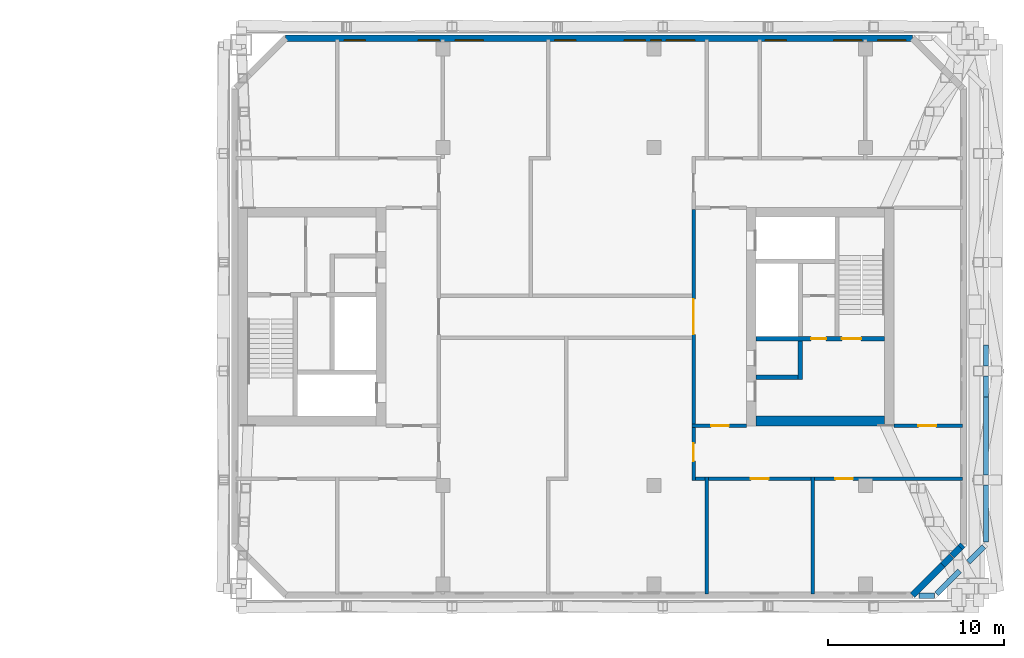
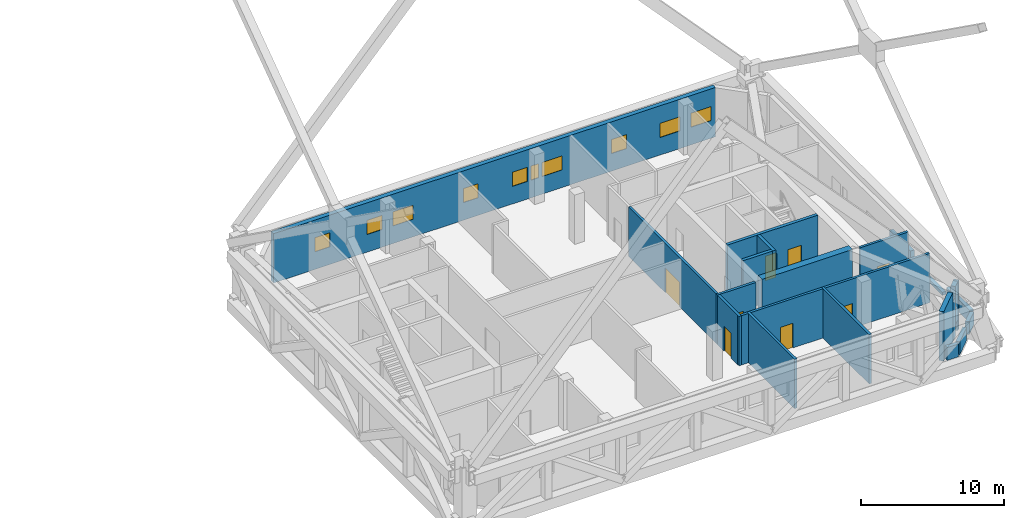
# One storey, part 14 of 22: 23 walls, 10 windows, 8 doors, 18 openings.
"""IFC4 building model written with IfcOpenShell, lengths in metres."""

from ifc_helpers import new_model, si_unit, direction, frame, frame_2d, origin, place, context, subcontext, project, spatial, rectangle, extrude, material, layer, layer_set, type_object, element, fill, save


model = new_model("IFC4")

# Units and contexts
model_context = context("Model", 3, precision=1e-05, world=origin(), true_north=direction((0.0, 1.0)))
body_context = subcontext(model_context, "Body", "Model", "MODEL_VIEW")
ifc_project = project(units=[si_unit("LENGTHUNIT", "METRE"), si_unit("AREAUNIT", "SQUARE_METRE"), si_unit("VOLUMEUNIT", "CUBIC_METRE"), si_unit("PLANEANGLEUNIT", "RADIAN"), si_unit("MASSUNIT", "GRAM", prefix="KILO")], contexts=[model_context])

# Site, building, storey
site_placement = place(None, origin())
site = spatial("IfcSite", under=ifc_project, at=site_placement, CompositionType="ELEMENT")
building_placement = place(site_placement, origin())
building = spatial("IfcBuilding", under=site, at=building_placement, Name="Tuart Gate Housing", CompositionType="ELEMENT")
storey_placement = place(building_placement, frame((0.0, 0.0, 115.0)))
storey = spatial("IfcBuildingStorey", under=building, at=storey_placement, Name="L32", CompositionType="ELEMENT", Elevation=115.0)

# Walls
ifc_material_1 = material(Name="Brick", Category="masonry")
ifc_layer_1 = layer(ifc_material_1, 0.300048828125)
ifc_layer_set_1 = layer_set([ifc_layer_1], Name="Brick parapet wall 300")
wall_type_1 = type_object("IfcWallType", Name="Brick parapet wall 300", PredefinedType="PARAPET", material=ifc_layer_set_1)
wall_1_placement = place(storey_placement, frame((170.050048828125, 54.14990234375, 0.0), z_axis=(0.0, 0.0, 1.0), x_axis=(1.0, 0.0, 0.0)))
element("IfcWall", 1, at=wall_1_placement, inside=storey, type_object=wall_type_1, Name="Roof parapet B 1", PredefinedType="PARAPET", context=body_context, shape_type="SweptSolid", body=[
    extrude(rectangle(XDim=0.887939453125, YDim=0.300048828125, at=frame_2d((0.44384765625, 0.0))), origin(), (0.0, 0.0, 1.0), 1.10009765625),
])
wall_2_placement = place(storey_placement, frame((171.04541015625, 54.257568359375, 0.0), z_axis=(0.0, 0.0, 1.0), x_axis=(0.707106781187, 0.707106781187, 0.0)))
element("IfcWall", 2, at=wall_2_placement, inside=storey, type_object=wall_type_1, Name="Roof parapet B 2", PredefinedType="PARAPET", context=body_context, shape_type="SweptSolid", body=[
    extrude(rectangle(XDim=1.846923828125, YDim=0.300048828125, at=frame_2d((0.92333984375, 0.0))), origin(), (0.0, 0.0, 1.0), 1.10009765625),
])
wall_3_placement = place(storey_placement, frame((172.84716796875, 56.05908203125, 0.0), z_axis=(0.0, 0.0, 1.0), x_axis=(0.706911150604, 0.70730235766, 0.0)))
element("IfcWall", 3, at=wall_3_placement, inside=storey, type_object=wall_type_1, Name="Roof parapet B 2", PredefinedType="PARAPET", context=body_context, shape_type="SweptSolid", body=[
    extrude(rectangle(XDim=1.248046875, YDim=0.300048828125, at=frame_2d((0.6240234375, 0.0))), origin(), (0.0, 0.0, 1.0), 1.10009765625),
])
wall_4_placement = place(storey_placement, frame((173.85009765625, 57.214111328125, 0.0), z_axis=(0.0, 0.0, 1.0), x_axis=(0.0, 1.0, 0.0)))
element("IfcWall", 4, at=wall_4_placement, inside=storey, type_object=wall_type_1, Name="Roof parapet B 3", PredefinedType="PARAPET", context=body_context, shape_type="SweptSolid", body=[
    extrude(rectangle(XDim=3.23291015625, YDim=0.300048828125, at=frame_2d((1.616455078125, 0.0))), origin(), (0.0, 0.0, 1.0), 1.0361328125),
])
wall_5_placement = place(storey_placement, frame((173.85009765625, 61.012939453125, 0.0), z_axis=(0.0, 0.0, 1.0), x_axis=(0.0, 1.0, 0.0)))
element("IfcWall", 5, at=wall_5_placement, inside=storey, type_object=wall_type_1, Name="Roof parapet B 3", PredefinedType="PARAPET", context=body_context, shape_type="SweptSolid", body=[
    extrude(rectangle(XDim=4.42822265625, YDim=0.300048828125, at=frame_2d((2.214111328125, 0.0))), origin(), (0.0, 0.0, 1.0), 0.260009765625),
])
for number, where, z_axis, x_axis, name in (
    (6, (173.85009765625, 65.441162109375, 0.0), (0.0, 0.0, 1.0), (0.0, 1.0, 0.0), "Roof parapet B 3"),
    (7, (173.85009765625, 67.193115234375, 0.0), (0.0, 0.0, 1.0), (0.0, 1.0, 0.0), "Roof parapet B 3"),
):
    element("IfcWall", number, at=place(storey_placement, frame(where, z_axis=z_axis, x_axis=x_axis)), inside=storey, type_object=wall_type_1, Name=name, PredefinedType="PARAPET", context=body_context, shape_type="SweptSolid", body=[
        extrude(rectangle(XDim=1.185791015625, YDim=0.300048828125, at=frame_2d((0.5927734375, 0.0))), origin(), (0.0, 0.0, 1.0), 1.10009765625),
    ])
ifc_material_2 = material(Name="Brick", Category="masonry")
ifc_layer_2 = layer(ifc_material_2, 0.360107421875)
ifc_layer_set_2 = layer_set([ifc_layer_2], Name="Brick pier and spandrel wall 360")
wall_type_2 = type_object("IfcWallType", Name="Brick pier and spandrel wall 360", PredefinedType="STANDARD", material=ifc_layer_set_2)
wall_6_placement = place(storey_placement, frame((169.67529296875, 54.179931640625, 0.0), z_axis=(0.0, 0.0, 1.0), x_axis=(0.707106781187, 0.707106781187, 0.0)))
element("IfcWall", 8, at=wall_6_placement, inside=storey, type_object=wall_type_2, Name="External wall B-SE L32", PredefinedType="STANDARD", context=body_context, shape_type="SweptSolid", body=[
    extrude(rectangle(XDim=2.423828125, YDim=0.360107421875, at=frame_2d((1.2119140625, 0.0))), origin(), (0.0, 0.0, 1.0), 4.199951171875),
])
wall_7_placement = place(storey_placement, frame((171.38916015625, 55.893798828125, 0.0), z_axis=(0.0, 0.0, 1.0), x_axis=(0.707106781187, 0.707106781187, 0.0)))
element("IfcWall", 9, at=wall_7_placement, inside=storey, type_object=wall_type_2, Name="External wall B-SE L32", PredefinedType="STANDARD", context=body_context, shape_type="SweptSolid", body=[
    extrude(rectangle(XDim=0.70263671875, YDim=0.360107421875, at=frame_2d((0.351318359375, 0.0))), origin(), (0.0, 0.0, 1.0), 3.39697265625),
])
wall_8_placement = place(storey_placement, frame((171.923095703125, 56.427734375, 0.952880859375), z_axis=(0.0, 0.0, 1.0), x_axis=(0.707291043531, 0.706922470814, 0.0)))
element("IfcWall", 10, at=wall_8_placement, inside=storey, type_object=wall_type_2, Name="External wall B-SE L32", PredefinedType="STANDARD", context=body_context, shape_type="SweptSolid", body=[
    extrude(rectangle(XDim=0.662353515625, YDim=0.360107421875, at=frame_2d((0.3310546875, 0.0))), origin(), (0.0, 0.0, 1.0), 3.2470703125),
])
wall_9_placement = place(storey_placement, frame((172.3916015625, 56.89599609375, 0.0), z_axis=(0.0, 0.0, 1.0), x_axis=(0.706503705369, 0.707709343092, 0.0)))
element("IfcWall", 11, at=wall_9_placement, inside=storey, type_object=wall_type_2, Name="External wall B-SE L32", PredefinedType="STANDARD", context=body_context, shape_type="SweptSolid", body=[
    extrude(rectangle(XDim=0.202392578125, YDim=0.360107421875, at=frame_2d((0.10107421875, 0.0))), origin(), (0.0, 0.0, 1.0), 4.199951171875),
])

# Wall, openings, windows
wall_10_placement = place(storey_placement, frame((169.67529296875, 85.820068359375, 0.0), z_axis=(0.0, 0.0, 1.0), x_axis=(-1.0, 0.0, 0.0)))
wall_10 = element("IfcWall", 12, at=wall_10_placement, inside=storey, type_object=wall_type_2, Name="External wall B-N L32", PredefinedType="STANDARD", context=body_context, shape_type="SweptSolid", body=[
    extrude(rectangle(XDim=35.600830078125, YDim=0.360107421875, at=frame_2d((17.80029296875, 0.0))), origin(), (0.0, 0.0, 1.0), 4.199951171875),
])
opening_1_placement = place(wall_10_placement, frame((0.37548828125, 0.0, 1.5)))
opening_1 = element("IfcOpeningElement", 13, at=opening_1_placement, cuts=wall_10, Name="Opening W3", PredefinedType="OPENING", context=body_context, shape_type="SweptSolid", body=[
    extrude(rectangle(XDim=1.60009765625, YDim=1.199951171875, at=frame_2d((0.800048828125, 0.60009765625))), frame((0.0, 0.18994140625, 0.0), z_axis=(0.0, -1.0, 0.0), x_axis=(1.0, 0.0, 0.0)), (0.0, 0.0, 1.0), 0.380126953125),
])
opening_2_placement = place(wall_10_placement, frame((2.87548828125, 0.0, 1.5)))
opening_2 = element("IfcOpeningElement", 14, at=opening_2_placement, cuts=wall_10, Name="Opening W3", PredefinedType="OPENING", context=body_context, shape_type="SweptSolid", body=[
    extrude(rectangle(XDim=1.60009765625, YDim=1.199951171875, at=frame_2d((0.800048828125, 0.60009765625))), frame((0.0, 0.18994140625, 0.0), z_axis=(0.0, -1.0, 0.0), x_axis=(1.0, 0.0, 0.0)), (0.0, 0.0, 1.0), 0.380126953125),
])
opening_3_placement = place(wall_10_placement, frame((7.17529296875, 0.0, 1.5)))
opening_3 = element("IfcOpeningElement", 15, at=opening_3_placement, cuts=wall_10, Name="Opening W3A", PredefinedType="OPENING", context=body_context, shape_type="SweptSolid", body=[
    extrude(rectangle(XDim=1.199951171875, YDim=1.199951171875, at=frame_2d((0.60009765625, 0.60009765625))), frame((0.0, 0.18994140625, 0.0), z_axis=(0.0, -1.0, 0.0), x_axis=(1.0, 0.0, 0.0)), (0.0, 0.0, 1.0), 0.380126953125),
])
opening_4_placement = place(wall_10_placement, frame((12.37548828125, 0.0, 1.5)))
opening_4 = element("IfcOpeningElement", 16, at=opening_4_placement, cuts=wall_10, Name="Opening W3", PredefinedType="OPENING", context=body_context, shape_type="SweptSolid", body=[
    extrude(rectangle(XDim=1.60009765625, YDim=1.199951171875, at=frame_2d((0.800048828125, 0.60009765625))), frame((0.0, 0.18994140625, 0.0), z_axis=(0.0, -1.0, 0.0), x_axis=(1.0, 0.0, 0.0)), (0.0, 0.0, 1.0), 0.380126953125),
])
opening_5_placement = place(wall_10_placement, frame((14.275390625, 0.0, 1.5)))
opening_5 = element("IfcOpeningElement", 17, at=opening_5_placement, cuts=wall_10, Name="Opening W3C", PredefinedType="OPENING", context=body_context, shape_type="SweptSolid", body=[
    extrude(rectangle(XDim=0.60009765625, YDim=1.199951171875, at=frame_2d((0.300048828125, 0.60009765625))), frame((0.0, 0.18994140625, 0.0), z_axis=(0.0, -1.0, 0.0), x_axis=(1.0, 0.0, 0.0)), (0.0, 0.0, 1.0), 0.380126953125),
])
opening_6_placement = place(wall_10_placement, frame((15.17529296875, 0.0, 1.5)))
opening_6 = element("IfcOpeningElement", 18, at=opening_6_placement, cuts=wall_10, Name="Opening W3A", PredefinedType="OPENING", context=body_context, shape_type="SweptSolid", body=[
    extrude(rectangle(XDim=1.199951171875, YDim=1.199951171875, at=frame_2d((0.60009765625, 0.60009765625))), frame((0.0, 0.18994140625, 0.0), z_axis=(0.0, -1.0, 0.0), x_axis=(1.0, 0.0, 0.0)), (0.0, 0.0, 1.0), 0.380126953125),
])
opening_7_placement = place(wall_10_placement, frame((24.37548828125, 0.0, 1.5)))
opening_7 = element("IfcOpeningElement", 19, at=opening_7_placement, cuts=wall_10, Name="Opening W3", PredefinedType="OPENING", context=body_context, shape_type="SweptSolid", body=[
    extrude(rectangle(XDim=1.60009765625, YDim=1.199951171875, at=frame_2d((0.800048828125, 0.60009765625))), frame((0.0, 0.18994140625, 0.0), z_axis=(0.0, -1.0, 0.0), x_axis=(1.0, 0.0, 0.0)), (0.0, 0.0, 1.0), 0.380126953125),
])
opening_8_placement = place(wall_10_placement, frame((26.87548828125, 0.0, 1.5)))
opening_8 = element("IfcOpeningElement", 20, at=opening_8_placement, cuts=wall_10, Name="Opening W3A", PredefinedType="OPENING", context=body_context, shape_type="SweptSolid", body=[
    extrude(rectangle(XDim=1.199951171875, YDim=1.199951171875, at=frame_2d((0.60009765625, 0.60009765625))), frame((0.0, 0.18994140625, 0.0), z_axis=(0.0, -1.0, 0.0), x_axis=(1.0, 0.0, 0.0)), (0.0, 0.0, 1.0), 0.380126953125),
])
opening_9_placement = place(wall_10_placement, frame((31.075439453125, 0.0, 1.5)))
opening_9 = element("IfcOpeningElement", 21, at=opening_9_placement, cuts=wall_10, Name="Opening W3A", PredefinedType="OPENING", context=body_context, shape_type="SweptSolid", body=[
    extrude(rectangle(XDim=1.199951171875, YDim=1.199951171875, at=frame_2d((0.60009765625, 0.60009765625))), frame((0.0, 0.18994140625, 0.0), z_axis=(0.0, -1.0, 0.0), x_axis=(1.0, 0.0, 0.0)), (0.0, 0.0, 1.0), 0.380126953125),
])
opening_10_placement = place(wall_10_placement, frame((19.12548828125, 0.0, 1.5)))
opening_10 = element("IfcOpeningElement", 22, at=opening_10_placement, cuts=wall_10, Name="Opening W3A", PredefinedType="OPENING", context=body_context, shape_type="SweptSolid", body=[
    extrude(rectangle(XDim=1.199951171875, YDim=1.199951171875, at=frame_2d((0.60009765625, 0.60009765625))), frame((0.0, 0.18994140625, 0.0), z_axis=(0.0, -1.0, 0.0), x_axis=(1.0, 0.0, 0.0)), (0.0, 0.0, 1.0), 0.380126953125),
])
ifc_material_3 = material(Name="Aluminium louvre blades", Category="aluminium")
window_type_1 = type_object("IfcWindowType", Name="Louvre window 1200 x 1200", PartitioningType="DOUBLE_PANEL_HORIZONTAL", PredefinedType="WINDOW", material=ifc_material_3)
window_1_placement = place(opening_3_placement, origin())
window_1 = element("IfcWindow", 23, at=window_1_placement, inside=storey, type_object=window_type_1, Name="Louvre W3A", OverallHeight=1.199951171875, OverallWidth=1.199951171875, PartitioningType="DOUBLE_PANEL_HORIZONTAL", PredefinedType="WINDOW", context=body_context, shape_type="SweptSolid", body=[
    extrude(rectangle(XDim=1.199951171875, YDim=1.199951171875, at=frame_2d((0.60009765625, 0.60009765625))), frame((0.0, 0.150146484375, 0.0), z_axis=(0.0, -1.0, 0.0), x_axis=(1.0, 0.0, 0.0)), (0.0, 0.0, 1.0), 0.06005859375),
])
fill(opening_3, window_1)
window_2_placement = place(opening_6_placement, origin())
window_2 = element("IfcWindow", 24, at=window_2_placement, inside=storey, type_object=window_type_1, Name="Louvre W3A", OverallHeight=1.199951171875, OverallWidth=1.199951171875, PartitioningType="DOUBLE_PANEL_HORIZONTAL", PredefinedType="WINDOW", context=body_context, shape_type="SweptSolid", body=[
    extrude(rectangle(XDim=1.199951171875, YDim=1.199951171875, at=frame_2d((0.60009765625, 0.60009765625))), frame((0.0, 0.150146484375, 0.0), z_axis=(0.0, -1.0, 0.0), x_axis=(1.0, 0.0, 0.0)), (0.0, 0.0, 1.0), 0.06005859375),
])
fill(opening_6, window_2)
window_3_placement = place(opening_8_placement, origin())
window_3 = element("IfcWindow", 25, at=window_3_placement, inside=storey, type_object=window_type_1, Name="Louvre W3A", OverallHeight=1.199951171875, OverallWidth=1.199951171875, PartitioningType="DOUBLE_PANEL_HORIZONTAL", PredefinedType="WINDOW", context=body_context, shape_type="SweptSolid", body=[
    extrude(rectangle(XDim=1.199951171875, YDim=1.199951171875, at=frame_2d((0.60009765625, 0.60009765625))), frame((0.0, 0.150146484375, 0.0), z_axis=(0.0, -1.0, 0.0), x_axis=(1.0, 0.0, 0.0)), (0.0, 0.0, 1.0), 0.06005859375),
])
fill(opening_8, window_3)
window_4_placement = place(opening_9_placement, origin())
window_4 = element("IfcWindow", 26, at=window_4_placement, inside=storey, type_object=window_type_1, Name="Louvre W3A", OverallHeight=1.199951171875, OverallWidth=1.199951171875, PartitioningType="DOUBLE_PANEL_HORIZONTAL", PredefinedType="WINDOW", context=body_context, shape_type="SweptSolid", body=[
    extrude(rectangle(XDim=1.199951171875, YDim=1.199951171875, at=frame_2d((0.60009765625, 0.60009765625))), frame((0.0, 0.150146484375, 0.0), z_axis=(0.0, -1.0, 0.0), x_axis=(1.0, 0.0, 0.0)), (0.0, 0.0, 1.0), 0.06005859375),
])
fill(opening_9, window_4)
window_5_placement = place(opening_10_placement, origin())
window_5 = element("IfcWindow", 27, at=window_5_placement, inside=storey, type_object=window_type_1, Name="Louvre W3A", OverallHeight=1.199951171875, OverallWidth=1.199951171875, PartitioningType="DOUBLE_PANEL_HORIZONTAL", PredefinedType="WINDOW", context=body_context, shape_type="SweptSolid", body=[
    extrude(rectangle(XDim=1.199951171875, YDim=1.199951171875, at=frame_2d((0.60009765625, 0.60009765625))), frame((0.0, 0.150146484375, 0.0), z_axis=(0.0, -1.0, 0.0), x_axis=(1.0, 0.0, 0.0)), (0.0, 0.0, 1.0), 0.06005859375),
])
fill(opening_10, window_5)
ifc_material_4 = material(Name="Aluminium louvre blades", Category="aluminium")
window_type_2 = type_object("IfcWindowType", Name="Louvre window 1600 x 1200", PartitioningType="DOUBLE_PANEL_HORIZONTAL", PredefinedType="WINDOW", material=ifc_material_4)
window_6_placement = place(opening_1_placement, origin())
window_6 = element("IfcWindow", 28, at=window_6_placement, inside=storey, type_object=window_type_2, Name="Louvre W3", OverallHeight=1.199951171875, OverallWidth=1.60009765625, PartitioningType="DOUBLE_PANEL_HORIZONTAL", PredefinedType="WINDOW", context=body_context, shape_type="SweptSolid", body=[
    extrude(rectangle(XDim=1.60009765625, YDim=1.199951171875, at=frame_2d((0.800048828125, 0.60009765625))), frame((0.0, 0.150146484375, 0.0), z_axis=(0.0, -1.0, 0.0), x_axis=(1.0, 0.0, 0.0)), (0.0, 0.0, 1.0), 0.06005859375),
])
fill(opening_1, window_6)
window_7_placement = place(opening_2_placement, origin())
window_7 = element("IfcWindow", 29, at=window_7_placement, inside=storey, type_object=window_type_2, Name="Louvre W3", OverallHeight=1.199951171875, OverallWidth=1.60009765625, PartitioningType="DOUBLE_PANEL_HORIZONTAL", PredefinedType="WINDOW", context=body_context, shape_type="SweptSolid", body=[
    extrude(rectangle(XDim=1.60009765625, YDim=1.199951171875, at=frame_2d((0.800048828125, 0.60009765625))), frame((0.0, 0.150146484375, 0.0), z_axis=(0.0, -1.0, 0.0), x_axis=(1.0, 0.0, 0.0)), (0.0, 0.0, 1.0), 0.06005859375),
])
fill(opening_2, window_7)
window_8_placement = place(opening_4_placement, origin())
window_8 = element("IfcWindow", 30, at=window_8_placement, inside=storey, type_object=window_type_2, Name="Louvre W3", OverallHeight=1.199951171875, OverallWidth=1.60009765625, PartitioningType="DOUBLE_PANEL_HORIZONTAL", PredefinedType="WINDOW", context=body_context, shape_type="SweptSolid", body=[
    extrude(rectangle(XDim=1.60009765625, YDim=1.199951171875, at=frame_2d((0.800048828125, 0.60009765625))), frame((0.0, 0.150146484375, 0.0), z_axis=(0.0, -1.0, 0.0), x_axis=(1.0, 0.0, 0.0)), (0.0, 0.0, 1.0), 0.06005859375),
])
fill(opening_4, window_8)
window_9_placement = place(opening_7_placement, origin())
window_9 = element("IfcWindow", 31, at=window_9_placement, inside=storey, type_object=window_type_2, Name="Louvre W3", OverallHeight=1.199951171875, OverallWidth=1.60009765625, PartitioningType="DOUBLE_PANEL_HORIZONTAL", PredefinedType="WINDOW", context=body_context, shape_type="SweptSolid", body=[
    extrude(rectangle(XDim=1.60009765625, YDim=1.199951171875, at=frame_2d((0.800048828125, 0.60009765625))), frame((0.0, 0.150146484375, 0.0), z_axis=(0.0, -1.0, 0.0), x_axis=(1.0, 0.0, 0.0)), (0.0, 0.0, 1.0), 0.06005859375),
])
fill(opening_7, window_9)
ifc_material_5 = material(Name="Aluminium louvre blades", Category="aluminium")
window_type_3 = type_object("IfcWindowType", Name="Louvre window 600 x 1200", PartitioningType="DOUBLE_PANEL_HORIZONTAL", PredefinedType="WINDOW", material=ifc_material_5)
window_10_placement = place(opening_5_placement, origin())
window_10 = element("IfcWindow", 32, at=window_10_placement, inside=storey, type_object=window_type_3, Name="Louvre W3C", OverallHeight=1.199951171875, OverallWidth=0.60009765625, PartitioningType="DOUBLE_PANEL_HORIZONTAL", PredefinedType="WINDOW", context=body_context, shape_type="SweptSolid", body=[
    extrude(rectangle(XDim=0.60009765625, YDim=1.199951171875, at=frame_2d((0.300048828125, 0.60009765625))), frame((0.0, 0.150146484375, 0.0), z_axis=(0.0, -1.0, 0.0), x_axis=(1.0, 0.0, 0.0)), (0.0, 0.0, 1.0), 0.06005859375),
])
fill(opening_5, window_10)

# Wall, openings, doors
ifc_material_6 = material(Name="Concrete C50", Category="concrete")
ifc_layer_3 = layer(ifc_material_6, 0.25)
ifc_layer_set_3 = layer_set([ifc_layer_3], Name="Core wall 250 C50")
wall_type_3 = type_object("IfcWallType", Name="Core wall 250 C50", PredefinedType="SHEAR", material=ifc_layer_set_3)
wall_11_placement = place(storey_placement, frame((160.7900390625, 68.75, 0.0), z_axis=(0.0, 0.0, 1.0), x_axis=(1.0, 0.0, 0.0)))
wall_11 = element("IfcWall", 33, at=wall_11_placement, inside=storey, type_object=wall_type_3, Name="Core wall BK.3", PredefinedType="SHEAR", context=body_context, shape_type="SweptSolid", body=[
    extrude(rectangle(XDim=7.300048828125, YDim=0.25, at=frame_2d((3.64990234375, 0.0))), origin(), (0.0, 0.0, 1.0), 4.199951171875),
])
opening_11_placement = place(wall_11_placement, frame((4.875, 0.0, 0.0)))
opening_11 = element("IfcOpeningElement", 34, at=opening_11_placement, cuts=wall_11, Name="Opening D3428", PredefinedType="OPENING", context=body_context, shape_type="SweptSolid", body=[
    extrude(rectangle(XDim=1.10009765625, YDim=2.10009765625, at=frame_2d((0.550048828125, 1.050048828125))), frame((0.0, 0.135009765625, 0.0), z_axis=(0.0, -1.0, 0.0), x_axis=(1.0, 0.0, 0.0)), (0.0, 0.0, 1.0), 0.27001953125),
])
opening_12_placement = place(wall_11_placement, frame((3.125, 0.0, 0.0)))
opening_12 = element("IfcOpeningElement", 35, at=opening_12_placement, cuts=wall_11, Name="Opening D3427", PredefinedType="OPENING", context=body_context, shape_type="SweptSolid", body=[
    extrude(rectangle(XDim=0.85009765625, YDim=2.10009765625, at=frame_2d((0.425048828125, 1.050048828125))), frame((0.0, 0.135009765625, 0.0), z_axis=(0.0, -1.0, 0.0), x_axis=(1.0, 0.0, 0.0)), (0.0, 0.0, 1.0), 0.27001953125),
])
ifc_material_7 = material(Name="Steel fire door", Category="steel")
door_type_1 = type_object("IfcDoorType", Name="Riser door 850 x 2100", OperationType="SINGLE_SWING_LEFT", PredefinedType="DOOR", material=ifc_material_7)
door_1_placement = place(opening_12_placement, origin())
door_1 = element("IfcDoor", 36, at=door_1_placement, inside=storey, type_object=door_type_1, Name="Service room door BK.W1", OperationType="SINGLE_SWING_LEFT", OverallHeight=2.10009765625, OverallWidth=0.85009765625, PredefinedType="DOOR", context=body_context, shape_type="SweptSolid", body=[
    extrude(rectangle(XDim=0.85009765625, YDim=2.10009765625, at=frame_2d((0.425048828125, 1.050048828125))), frame((0.0, 0.02490234375, 0.0), z_axis=(0.0, -1.0, 0.0), x_axis=(1.0, 0.0, 0.0)), (0.0, 0.0, 1.0), 0.050048828125),
])
fill(opening_12, door_1)
ifc_material_8 = material(Name="Steel fire door", Category="steel")
door_type_2 = type_object("IfcDoorType", Name="Stair door 1100 x 2100", OperationType="SINGLE_SWING_LEFT", PredefinedType="DOOR", material=ifc_material_8)
door_2_placement = place(opening_11_placement, origin())
door_2 = element("IfcDoor", 37, at=door_2_placement, inside=storey, type_object=door_type_2, Name="Stair door BK.SD", OperationType="SINGLE_SWING_LEFT", OverallHeight=2.10009765625, OverallWidth=1.10009765625, PredefinedType="DOOR", context=body_context, shape_type="SweptSolid", body=[
    extrude(rectangle(XDim=1.10009765625, YDim=2.10009765625, at=frame_2d((0.550048828125, 1.050048828125))), frame((0.0, 0.02490234375, 0.0), z_axis=(0.0, -1.0, 0.0), x_axis=(1.0, 0.0, 0.0)), (0.0, 0.0, 1.0), 0.050048828125),
])
fill(opening_11, door_2)

# Walls
wall_12_placement = place(storey_placement, frame((160.7900390625, 66.550048828125, 0.0), z_axis=(0.0, 0.0, 1.0), x_axis=(1.0, 0.0, 0.0)))
element("IfcWall", 38, at=wall_12_placement, inside=storey, type_object=wall_type_3, Name="Core wall BK.4", PredefinedType="SHEAR", context=body_context, shape_type="SweptSolid", body=[
    extrude(rectangle(XDim=2.375, YDim=0.25, at=frame_2d((1.1875, 0.0))), origin(), (0.0, 0.0, 1.0), 4.199951171875),
])
wall_13_placement = place(storey_placement, frame((163.2900390625, 68.625, 0.0), z_axis=(0.0, 0.0, 1.0), x_axis=(0.0, -1.0, 0.0)))
element("IfcWall", 39, at=wall_13_placement, inside=storey, type_object=wall_type_3, Name="Core wall BK.6", PredefinedType="SHEAR", context=body_context, shape_type="SweptSolid", body=[
    extrude(rectangle(XDim=2.199951171875, YDim=0.25, at=frame_2d((1.10009765625, 0.0))), origin(), (0.0, 0.0, 1.0), 4.199951171875),
])
ifc_material_9 = material(Name="Concrete C50", Category="concrete")
ifc_layer_4 = layer(ifc_material_9, 0.550048828125)
ifc_layer_set_4 = layer_set([ifc_layer_4], Name="Core wall 550 C50")
wall_type_4 = type_object("IfcWallType", Name="Core wall 550 C50", PredefinedType="SHEAR", material=ifc_layer_set_4)
wall_14_placement = place(storey_placement, frame((160.7900390625, 64.074951171875, 0.0), z_axis=(0.0, 0.0, 1.0), x_axis=(1.0, 0.0, 0.0)))
element("IfcWall", 40, at=wall_14_placement, inside=storey, type_object=wall_type_4, Name="Core wall BK north", PredefinedType="SHEAR", context=body_context, shape_type="SweptSolid", body=[
    extrude(rectangle(XDim=7.300048828125, YDim=0.550048828125, at=frame_2d((3.64990234375, 0.0))), origin(), (0.0, 0.0, 1.0), 4.199951171875),
])

# Wall, openings, doors
ifc_material_10 = material(Name="Concrete masonry 15 MPa", Category="masonry")
ifc_layer_5 = layer(ifc_material_10, 0.199951171875)
ifc_layer_set_5 = layer_set([ifc_layer_5], Name="Enclosure wall masonry 200")
wall_type_5 = type_object("IfcWallType", Name="Enclosure wall masonry 200", PredefinedType="PARTITIONING", material=ifc_layer_set_5)
wall_15_placement = place(storey_placement, frame((157.139892578125, 60.800048828125, 0.0), z_axis=(0.0, 0.0, 1.0), x_axis=(1.0, 0.0, 0.0)))
wall_15 = element("IfcWall", 41, at=wall_15_placement, inside=storey, type_object=wall_type_5, Name="Enclosure wall masonry 200", PredefinedType="PARTITIONING", context=body_context, shape_type="SweptSolid", body=[
    extrude(rectangle(XDim=15.3701171875, YDim=0.199951171875, at=frame_2d((7.68505859375, 0.0))), origin(), (0.0, 0.0, 1.0), 4.199951171875),
])
opening_13_placement = place(wall_15_placement, frame((3.360107421875, 0.0, 0.0)))
opening_13 = element("IfcOpeningElement", 42, at=opening_13_placement, cuts=wall_15, Name="Opening D3436", PredefinedType="OPENING", context=body_context, shape_type="SweptSolid", body=[
    extrude(rectangle(XDim=1.0, YDim=2.10009765625, at=frame_2d((0.5, 1.050048828125))), frame((0.0, 0.10986328125, 0.0), z_axis=(0.0, -1.0, 0.0), x_axis=(1.0, 0.0, 0.0)), (0.0, 0.0, 1.0), 0.219970703125),
])
opening_14_placement = place(wall_15_placement, frame((8.155029296875, 0.0, 0.0)))
opening_14 = element("IfcOpeningElement", 43, at=opening_14_placement, cuts=wall_15, Name="Opening D3437", PredefinedType="OPENING", context=body_context, shape_type="SweptSolid", body=[
    extrude(rectangle(XDim=1.0, YDim=2.10009765625, at=frame_2d((0.5, 1.050048828125))), frame((0.0, 0.10986328125, 0.0), z_axis=(0.0, -1.0, 0.0), x_axis=(1.0, 0.0, 0.0)), (0.0, 0.0, 1.0), 0.219970703125),
])
ifc_material_11 = material(Name="Timber door leaf in steel frame", Category="steel")
door_type_3 = type_object("IfcDoorType", Name="Fire door 1000 RH", OperationType="SINGLE_SWING_RIGHT", PredefinedType="DOOR", material=ifc_material_11)
door_3_placement = place(opening_13_placement, frame((1.0, 0.0, 0.0), z_axis=(0.0, 0.0, 1.0), x_axis=(-1.0, 0.0, 0.0)))
door_3 = element("IfcDoor", 44, at=door_3_placement, inside=storey, type_object=door_type_3, Name="Fire door 1000", OperationType="SINGLE_SWING_RIGHT", OverallHeight=2.10009765625, OverallWidth=1.0, PredefinedType="DOOR", context=body_context, shape_type="SweptSolid", body=[
    extrude(rectangle(XDim=1.0, YDim=2.10009765625, at=frame_2d((0.5, 1.050048828125))), frame((0.0, 0.025146484375, 0.0), z_axis=(0.0, -1.0, 0.0), x_axis=(1.0, 0.0, 0.0)), (0.0, 0.0, 1.0), 0.050048828125),
])
fill(opening_13, door_3)
door_4_placement = place(opening_14_placement, frame((1.0, 0.0, 0.0), z_axis=(0.0, 0.0, 1.0), x_axis=(-1.0, 0.0, 0.0)))
door_4 = element("IfcDoor", 45, at=door_4_placement, inside=storey, type_object=door_type_3, Name="Fire door 1000", OperationType="SINGLE_SWING_RIGHT", OverallHeight=2.10009765625, OverallWidth=1.0, PredefinedType="DOOR", context=body_context, shape_type="SweptSolid", body=[
    extrude(rectangle(XDim=1.0, YDim=2.10009765625, at=frame_2d((0.5, 1.050048828125))), frame((0.0, 0.025146484375, 0.0), z_axis=(0.0, -1.0, 0.0), x_axis=(1.0, 0.0, 0.0)), (0.0, 0.0, 1.0), 0.050048828125),
])
fill(opening_14, door_4)

# Wall, opening, door
wall_16_placement = place(storey_placement, frame((168.639892578125, 63.800048828125, 0.0), z_axis=(0.0, 0.0, 1.0), x_axis=(1.0, 0.0, 0.0)))
wall_16 = element("IfcWall", 46, at=wall_16_placement, inside=storey, type_object=wall_type_5, Name="Enclosure wall masonry 200", PredefinedType="PARTITIONING", context=body_context, shape_type="SweptSolid", body=[
    extrude(rectangle(XDim=3.8701171875, YDim=0.199951171875, at=frame_2d((1.93505859375, 0.0))), origin(), (0.0, 0.0, 1.0), 4.199951171875),
])
opening_15_placement = place(wall_16_placement, frame((1.375, 0.0, 0.0)))
opening_15 = element("IfcOpeningElement", 47, at=opening_15_placement, cuts=wall_16, Name="Opening D3431", PredefinedType="OPENING", context=body_context, shape_type="SweptSolid", body=[
    extrude(rectangle(XDim=1.0, YDim=2.10009765625, at=frame_2d((0.5, 1.050048828125))), frame((0.0, 0.10986328125, 0.0), z_axis=(0.0, -1.0, 0.0), x_axis=(1.0, 0.0, 0.0)), (0.0, 0.0, 1.0), 0.219970703125),
])
ifc_material_12 = material(Name="Timber door leaf in steel frame", Category="steel")
door_type_4 = type_object("IfcDoorType", Name="Fire door 1000", OperationType="SINGLE_SWING_LEFT", PredefinedType="DOOR", material=ifc_material_12)
door_5_placement = place(opening_15_placement, origin())
door_5 = element("IfcDoor", 48, at=door_5_placement, inside=storey, type_object=door_type_4, Name="Fire door 1000", OperationType="SINGLE_SWING_LEFT", OverallHeight=2.10009765625, OverallWidth=1.0, PredefinedType="DOOR", context=body_context, shape_type="SweptSolid", body=[
    extrude(rectangle(XDim=1.0, YDim=2.10009765625, at=frame_2d((0.5, 1.050048828125))), frame((0.0, 0.02490234375, 0.0), z_axis=(0.0, -1.0, 0.0), x_axis=(1.0, 0.0, 0.0)), (0.0, 0.0, 1.0), 0.050048828125),
])
fill(opening_15, door_5)

wall_17_placement = place(storey_placement, frame((157.139892578125, 63.800048828125, 0.0), z_axis=(0.0, 0.0, 1.0), x_axis=(1.0, 0.0, 0.0)))
wall_17 = element("IfcWall", 49, at=wall_17_placement, inside=storey, type_object=wall_type_5, Name="Enclosure wall masonry 200", PredefinedType="PARTITIONING", context=body_context, shape_type="SweptSolid", body=[
    extrude(rectangle(XDim=3.10009765625, YDim=0.199951171875, at=frame_2d((1.550048828125, 0.0))), origin(), (0.0, 0.0, 1.0), 4.199951171875),
])
opening_16_placement = place(wall_17_placement, frame((1.10009765625, 0.0, 0.0)))
opening_16 = element("IfcOpeningElement", 50, at=opening_16_placement, cuts=wall_17, Name="Opening D3430", PredefinedType="OPENING", context=body_context, shape_type="SweptSolid", body=[
    extrude(rectangle(XDim=1.0, YDim=2.10009765625, at=frame_2d((0.5, 1.050048828125))), frame((0.0, 0.10986328125, 0.0), z_axis=(0.0, -1.0, 0.0), x_axis=(1.0, 0.0, 0.0)), (0.0, 0.0, 1.0), 0.219970703125),
])
ifc_material_13 = material(Name="Timber door leaf in steel frame", Category="steel")
door_type_5 = type_object("IfcDoorType", Name="Lobby door 1000 RH", OperationType="SINGLE_SWING_RIGHT", PredefinedType="DOOR", material=ifc_material_13)
door_6_placement = place(opening_16_placement, frame((1.0, 0.0, 0.0), z_axis=(0.0, 0.0, 1.0), x_axis=(-1.0, 0.0, 0.0)))
door_6 = element("IfcDoor", 51, at=door_6_placement, inside=storey, type_object=door_type_5, Name="Lobby door 1000", OperationType="SINGLE_SWING_RIGHT", OverallHeight=2.10009765625, OverallWidth=1.0, PredefinedType="DOOR", context=body_context, shape_type="SweptSolid", body=[
    extrude(rectangle(XDim=1.0, YDim=2.10009765625, at=frame_2d((0.5, 1.050048828125))), frame((0.0, 0.025146484375, 0.0), z_axis=(0.0, -1.0, 0.0), x_axis=(1.0, 0.0, 0.0)), (0.0, 0.0, 1.0), 0.050048828125),
])
fill(opening_16, door_6)

wall_18_placement = place(storey_placement, frame((157.239990234375, 60.699951171875, 0.0), z_axis=(0.0, 0.0, 1.0), x_axis=(0.0, 1.0, 0.0)))
wall_18 = element("IfcWall", 52, at=wall_18_placement, inside=storey, type_object=wall_type_5, Name="Enclosure wall masonry 200", PredefinedType="PARTITIONING", context=body_context, shape_type="SweptSolid", body=[
    extrude(rectangle(XDim=3.199951171875, YDim=0.199951171875, at=frame_2d((1.60009765625, 0.0))), origin(), (0.0, 0.0, 1.0), 4.199951171875),
])
opening_17_placement = place(wall_18_placement, frame((1.10009765625, 0.0, 0.0)))
opening_17 = element("IfcOpeningElement", 53, at=opening_17_placement, cuts=wall_18, Name="Opening D3433", PredefinedType="OPENING", context=body_context, shape_type="SweptSolid", body=[
    extrude(rectangle(XDim=1.0, YDim=2.10009765625, at=frame_2d((0.5, 1.050048828125))), frame((0.0, 0.10986328125, 0.0), z_axis=(0.0, -1.0, 0.0), x_axis=(1.0, 0.0, 0.0)), (0.0, 0.0, 1.0), 0.219970703125),
])
door_7_placement = place(opening_17_placement, origin())
door_7 = element("IfcDoor", 54, at=door_7_placement, inside=storey, type_object=door_type_3, Name="Fire door 1000", OperationType="SINGLE_SWING_RIGHT", OverallHeight=2.10009765625, OverallWidth=1.0, PredefinedType="DOOR", context=body_context, shape_type="SweptSolid", body=[
    extrude(rectangle(XDim=1.0, YDim=2.10009765625, at=frame_2d((0.5, 1.050048828125))), frame((0.0, 0.02490234375, 0.0), z_axis=(0.0, -1.0, 0.0), x_axis=(1.0, 0.0, 0.0)), (0.0, 0.0, 1.0), 0.050048828125),
])
fill(opening_17, door_7)

# Walls
for number, where, z_axis, x_axis, name in (
    (55, (158.0, 54.239990234375, 0.0), (0.0, 0.0, 1.0), (0.0, 1.0, 0.0), "Enclosure wall masonry 200"),
    (56, (164.0, 54.239990234375, 0.0), (0.0, 0.0, 1.0), (0.0, 1.0, 0.0), "Enclosure wall masonry 200"),
):
    element("IfcWall", number, at=place(storey_placement, frame(where, z_axis=z_axis, x_axis=x_axis)), inside=storey, type_object=wall_type_5, Name=name, PredefinedType="PARTITIONING", context=body_context, shape_type="SweptSolid", body=[
        extrude(rectangle(XDim=6.659912109375, YDim=0.199951171875, at=frame_2d((3.330078125, 0.0))), origin(), (0.0, 0.0, 1.0), 4.199951171875),
    ])

# Wall, opening, door
ifc_material_14 = material(Name="Plasterboard partition")
ifc_layer_6 = layer(ifc_material_14, 0.199951171875)
ifc_layer_set_6 = layer_set([ifc_layer_6], Name="Lobby wall 200")
wall_type_6 = type_object("IfcWallType", Name="Lobby wall 200", PredefinedType="PARTITIONING", material=ifc_layer_set_6)
wall_19_placement = place(storey_placement, frame((157.239990234375, 63.89990234375, 0.0), z_axis=(0.0, 0.0, 1.0), x_axis=(0.0, 1.0, 0.0)))
wall_19 = element("IfcWall", 57, at=wall_19_placement, inside=storey, type_object=wall_type_6, Name="Lift lobby wall BK", PredefinedType="PARTITIONING", context=body_context, shape_type="SweptSolid", body=[
    extrude(rectangle(XDim=12.2001953125, YDim=0.199951171875, at=frame_2d((6.10009765625, 0.0))), origin(), (0.0, 0.0, 1.0), 4.199951171875),
])
opening_18_placement = place(wall_19_placement, frame((5.10009765625, 0.0, 0.0)))
opening_18 = element("IfcOpeningElement", 58, at=opening_18_placement, cuts=wall_19, Name="Opening D3424", PredefinedType="OPENING", context=body_context, shape_type="SweptSolid", body=[
    extrude(rectangle(XDim=2.0, YDim=2.10009765625, at=frame_2d((1.0, 1.050048828125))), frame((0.0, 0.10986328125, 0.0), z_axis=(0.0, -1.0, 0.0), x_axis=(1.0, 0.0, 0.0)), (0.0, 0.0, 1.0), 0.219970703125),
])
ifc_material_15 = material(Name="Steel fire door", Category="steel")
door_type_6 = type_object("IfcDoorType", Name="Smoke door 2000 x 2100", OperationType="DOUBLE_DOOR_SINGLE_SWING", PredefinedType="DOOR", material=ifc_material_15)
door_8_placement = place(opening_18_placement, frame((2.0, 0.0, 0.0), z_axis=(0.0, 0.0, 1.0), x_axis=(-1.0, 0.0, 0.0)))
door_8 = element("IfcDoor", 59, at=door_8_placement, inside=storey, type_object=door_type_6, Name="Lift lobby smoke door BK", OperationType="DOUBLE_DOOR_SINGLE_SWING", OverallHeight=2.10009765625, OverallWidth=2.0, PredefinedType="DOOR", context=body_context, shape_type="SweptSolid", body=[
    extrude(rectangle(XDim=2.0, YDim=2.10009765625, at=frame_2d((1.0, 1.050048828125))), frame((0.0, 0.025146484375, 0.0), z_axis=(0.0, -1.0, 0.0), x_axis=(1.0, 0.0, 0.0)), (0.0, 0.0, 1.0), 0.050048828125),
])
fill(opening_18, door_8)

save(model, "model.ifc")
